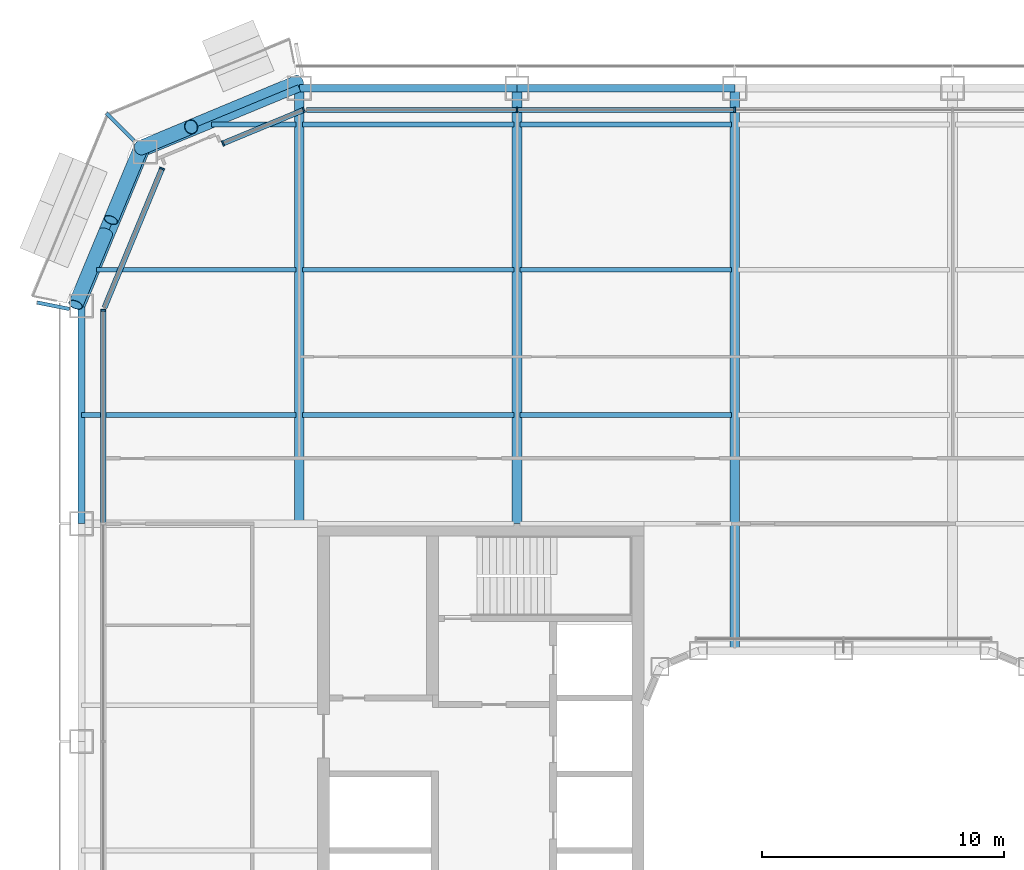
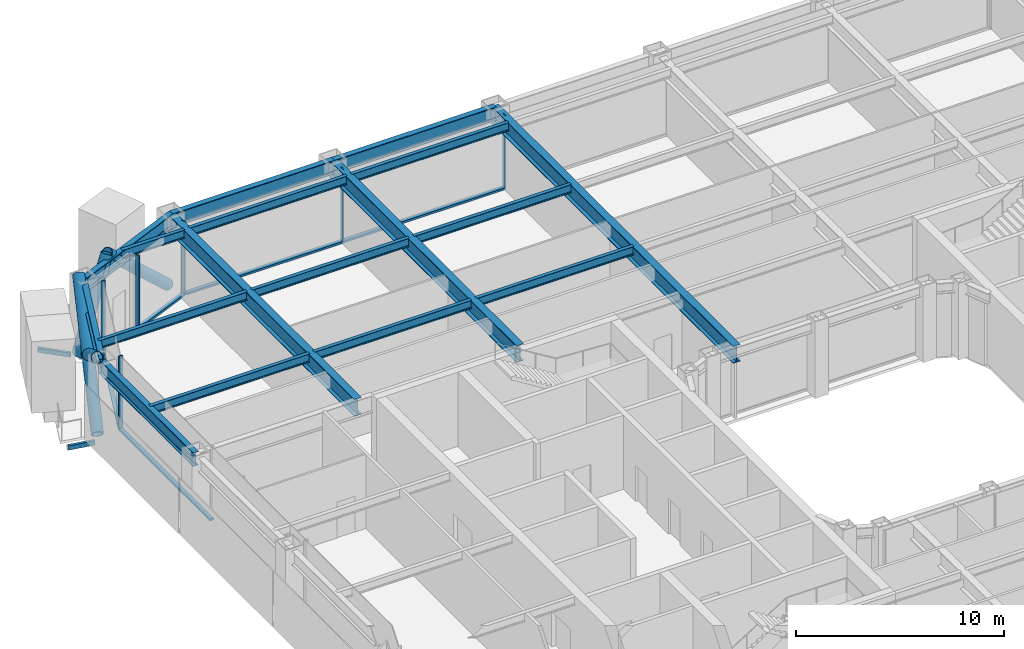
# One storey, part 7 of 29: 19 beams, 16 members, 4 elements without a shape of their own.
"""IFC4 building model written with IfcOpenShell, lengths in metres."""

from ifc_helpers import new_model, si_unit, direction, frame, origin, origin_2d, place, context, subcontext, project, spatial, rectangle, hollow_rectangle, hollow_circle, i_section, extrude, material, layer, layer_set, material_profile, profile_set, type_object, element, aggregate, save


model = new_model("IFC4")

# Units and contexts
model_context = context("Model", 3, precision=1e-05, world=origin(), true_north=direction((0.0, 1.0)))
body_context = subcontext(model_context, "Body", "Model", "MODEL_VIEW")
ifc_project = project(units=[si_unit("LENGTHUNIT", "METRE"), si_unit("AREAUNIT", "SQUARE_METRE"), si_unit("VOLUMEUNIT", "CUBIC_METRE"), si_unit("PLANEANGLEUNIT", "RADIAN"), si_unit("MASSUNIT", "GRAM", prefix="KILO")], contexts=[model_context])

# Site, building, storey
site_placement = place(None, origin())
site = spatial("IfcSite", under=ifc_project, at=site_placement, CompositionType="ELEMENT")
building_placement = place(site_placement, origin())
building = spatial("IfcBuilding", under=site, at=building_placement, Name="Siwar Civic Tower", CompositionType="ELEMENT")
storey_placement = place(building_placement, frame((0.0, 0.0, 67.199951171875)))
storey = spatial("IfcBuildingStorey", under=building, at=storey_placement, Name="L14", CompositionType="ELEMENT", Elevation=67.199951171875)

# Beams
ifc_material_1 = material(Name="Steel S355", Category="steel")
ifc_material_profile_1 = material_profile(ifc_material_1, hollow_rectangle(XDim=0.14990234375, YDim=0.25, WallThickness=0.010009765625, at=origin_2d()), Name="RHS250x150x10")
ifc_profile_set_1 = profile_set([ifc_material_profile_1], Name="Steel S355")
beam_type_1 = type_object("IfcBeamType", Name="ENV-BALCONY ARM", PredefinedType="BEAM", material=ifc_profile_set_1)
beam_1_placement = place(storey_placement, frame((-29.32861328125, 29.32861328125, -0.27490234375), z_axis=(-0.707106781187, 0.707106781187, 0.0), x_axis=(-0.707106781187, -0.707106781187, 0.0)))
element("IfcBeam", 1, at=beam_1_placement, inside=storey, type_object=beam_type_1, Name="Balcony cantilever beam NW 2", PredefinedType="BEAM", context=body_context, shape_type="SweptSolid", body=[
    extrude(hollow_rectangle(XDim=0.14990234375, YDim=0.25, WallThickness=0.010009765625, at=origin_2d()), origin(), (0.0, 0.0, 1.0), 1.615966796875),
])
beam_2_placement = place(storey_placement, frame((-32.0, 22.375244140625, -0.27490234375), z_axis=(-0.980807679798, 0.194977678848, 0.0), x_axis=(-0.194977678848, -0.980807679798, 0.0)))
element("IfcBeam", 2, at=beam_2_placement, inside=storey, type_object=beam_type_1, Name="Balcony cantilever beam NW 3", PredefinedType="BEAM", context=body_context, shape_type="SweptSolid", body=[
    extrude(hollow_rectangle(XDim=0.14990234375, YDim=0.25, WallThickness=0.010009765625, at=origin_2d()), origin(), (0.0, 0.0, 1.0), 1.361083984375),
])

# Curtain wall, members
ifc_material_2 = material(Name="Aluminium and glass", Category="aluminium")
ifc_layer_1 = layer(ifc_material_2, 0.219970703125)
ifc_layer_set_1 = layer_set([ifc_layer_1], Name="Aluminium and glass")
curtain_wall_type_1 = type_object("IfcCurtainWallType", Name="ENV-CW-A", PredefinedType="NOTDEFINED", material=ifc_layer_set_1)
curtain_wall_1_placement = place(storey_placement, origin())
curtain_wall_1 = element("IfcCurtainWall", 3, at=curtain_wall_1_placement, inside=storey, type_object=curtain_wall_type_1, Name="Curtain wall A N", PredefinedType="NOTDEFINED")
ifc_material_3 = material(Name="Aluminium 6063-T6", Category="aluminium")
ifc_material_profile_2 = material_profile(ifc_material_3, rectangle(XDim=0.219970703125, YDim=0.070068359375, at=origin_2d()), Name="AL 220x70")
ifc_profile_set_2 = profile_set([ifc_material_profile_2], Name="Aluminium 6063-T6")
member_type_1 = type_object("IfcMemberType", Name="ENV-MULLION-A", PredefinedType="MULLION", material=ifc_profile_set_2)
member_1_placement = place(storey_placement, frame((-4.5, 30.60009765625, 0.0), z_axis=(0.0, 0.0, 1.0), x_axis=(0.0, -1.0, 0.0)))
member_1 = element("IfcMember", 4, at=member_1_placement, type_object=member_type_1, Name="Mullion A N 4", PredefinedType="MULLION", context=body_context, shape_type="SweptSolid", body=[
    extrude(rectangle(XDim=0.219970703125, YDim=0.070068359375, at=origin_2d()), origin(), (0.0, 0.0, 1.0), 4.35009765625),
])
member_2_placement = place(storey_placement, frame((-13.5, 30.60009765625, 0.0), z_axis=(0.0, 0.0, 1.0), x_axis=(0.0, -1.0, 0.0)))
member_2 = element("IfcMember", 5, at=member_2_placement, type_object=member_type_1, Name="Mullion A N 5", PredefinedType="MULLION", context=body_context, shape_type="SweptSolid", body=[
    extrude(rectangle(XDim=0.219970703125, YDim=0.070068359375, at=origin_2d()), origin(), (0.0, 0.0, 1.0), 4.35009765625),
])

ifc_material_4 = material(Name="Aluminium clad insulated panel", Category="aluminium")
ifc_layer_2 = layer(ifc_material_4, 0.219970703125)
ifc_layer_set_2 = layer_set([ifc_layer_2], Name="Aluminium clad insulated panel")
curtain_wall_type_2 = type_object("IfcCurtainWallType", Name="ENV-CW-AX", PredefinedType="NOTDEFINED", material=ifc_layer_set_2)
curtain_wall_2_placement = place(storey_placement, origin())
curtain_wall_2 = element("IfcCurtainWall", 6, at=curtain_wall_2_placement, inside=storey, type_object=curtain_wall_type_2, Name="Curtain wall A NW1", PredefinedType="NOTDEFINED")
member_3_placement = place(storey_placement, frame((-22.321044921875, 30.60009765625, 0.0), z_axis=(0.0, 0.0, 1.0), x_axis=(0.382683432365, -0.923879532511, 0.0)))
member_3 = element("IfcMember", 7, at=member_3_placement, type_object=member_type_1, Name="Mullion A NW1 1", PredefinedType="MULLION", context=body_context, shape_type="SweptSolid", body=[
    extrude(rectangle(XDim=0.219970703125, YDim=0.070068359375, at=origin_2d()), origin(), (0.0, 0.0, 1.0), 4.35009765625),
])
member_4_placement = place(storey_placement, frame((-25.653564453125, 29.219482421875, 0.0), z_axis=(0.0, 0.0, 1.0), x_axis=(0.382683432365, -0.923879532511, 0.0)))
member_4 = element("IfcMember", 8, at=member_4_placement, type_object=member_type_1, Name="Mullion A NW1 2", PredefinedType="MULLION", context=body_context, shape_type="SweptSolid", body=[
    extrude(rectangle(XDim=0.219970703125, YDim=0.070068359375, at=origin_2d()), origin(), (0.0, 0.0, 1.0), 4.35009765625),
])

# Curtain wall, member
curtain_wall_3_placement = place(storey_placement, origin())
curtain_wall_3 = element("IfcCurtainWall", 9, at=curtain_wall_3_placement, inside=storey, type_object=curtain_wall_type_2, Name="Curtain wall A NW2", PredefinedType="NOTDEFINED")
member_5_placement = place(storey_placement, frame((-28.175048828125, 28.175048828125, 0.0), z_axis=(0.0, 0.0, 1.0), x_axis=(0.923879532511, -0.382683432365, 0.0)))
member_5 = element("IfcMember", 10, at=member_5_placement, type_object=member_type_1, Name="Mullion A NW2 1", PredefinedType="MULLION", context=body_context, shape_type="SweptSolid", body=[
    extrude(rectangle(XDim=0.219970703125, YDim=0.070068359375, at=origin_2d()), origin(), (0.0, 0.0, 1.0), 4.35009765625),
])

curtain_wall_4_placement = place(storey_placement, origin())
curtain_wall_4 = element("IfcCurtainWall", 11, at=curtain_wall_4_placement, inside=storey, type_object=curtain_wall_type_1, Name="Curtain wall A W", PredefinedType="NOTDEFINED")
member_6_placement = place(storey_placement, frame((-30.60009765625, 22.321044921875, 0.0), z_axis=(0.0, 0.0, 1.0), x_axis=(1.0, 0.0, 0.0)))
member_6 = element("IfcMember", 12, at=member_6_placement, type_object=member_type_1, Name="Mullion A W 1", PredefinedType="MULLION", context=body_context, shape_type="SweptSolid", body=[
    extrude(rectangle(XDim=0.219970703125, YDim=0.070068359375, at=origin_2d()), origin(), (0.0, 0.0, 1.0), 4.35009765625),
])

# Member
ifc_material_5 = material(Name="Aluminium 6063-T6", Category="aluminium")
ifc_material_profile_3 = material_profile(ifc_material_5, rectangle(XDim=0.219970703125, YDim=0.1201171875, at=origin_2d()), Name="AL 220x120")
ifc_profile_set_3 = profile_set([ifc_material_profile_3], Name="Aluminium 6063-T6")
member_type_2 = type_object("IfcMemberType", Name="ENV-TRANSOM-A", PredefinedType="USERDEFINED", material=ifc_profile_set_3)
member_7_placement = place(storey_placement, frame((-4.534912109375, 30.60009765625, 0.06005859375), z_axis=(-1.0, 0.0, 0.0), x_axis=(0.0, -1.0, 0.0)))
member_7 = element("IfcMember", 13, at=member_7_placement, type_object=member_type_2, Name="Transom A N 4", ObjectType="TRANSOM", PredefinedType="USERDEFINED", context=body_context, shape_type="SweptSolid", body=[
    extrude(rectangle(XDim=0.219970703125, YDim=0.1201171875, at=origin_2d()), origin(), (0.0, 0.0, 1.0), 8.93017578125),
])

member_8_placement = place(storey_placement, frame((-13.534912109375, 30.60009765625, 0.06005859375), z_axis=(-1.0, 0.0, 0.0), x_axis=(0.0, -1.0, 0.0)))
member_8 = element("IfcMember", 14, at=member_8_placement, type_object=member_type_2, Name="Transom A N 5", ObjectType="TRANSOM", PredefinedType="USERDEFINED", context=body_context, shape_type="SweptSolid", body=[
    extrude(rectangle(XDim=0.219970703125, YDim=0.1201171875, at=origin_2d()), origin(), (0.0, 0.0, 1.0), 8.66357421875),
])

aggregate(curtain_wall_1, [member_1, member_2, member_7, member_8])

member_9_placement = place(storey_placement, frame((-22.353271484375, 30.586669921875, 0.06005859375), z_axis=(-0.923871302809, -0.38270330002, 0.0), x_axis=(0.38270330002, -0.923871302809, 0.0)))
member_9 = element("IfcMember", 15, at=member_9_placement, type_object=member_type_2, Name="Transom A NW1 1", ObjectType="TRANSOM", PredefinedType="USERDEFINED", context=body_context, shape_type="SweptSolid", body=[
    extrude(rectangle(XDim=0.219970703125, YDim=0.1201171875, at=origin_2d()), origin(), (0.0, 0.0, 1.0), 3.537353515625),
])

aggregate(curtain_wall_2, [member_3, member_4, member_9])

member_10_placement = place(storey_placement, frame((-28.1884765625, 28.142822265625, 0.06005859375), z_axis=(-0.382698415042, -0.923873326341, 0.0), x_axis=(0.923873326341, -0.382698415042, 0.0)))
member_10 = element("IfcMember", 16, at=member_10_placement, type_object=member_type_2, Name="Transom A NW2 1", ObjectType="TRANSOM", PredefinedType="USERDEFINED", context=body_context, shape_type="SweptSolid", body=[
    extrude(rectangle(XDim=0.219970703125, YDim=0.1201171875, at=origin_2d()), origin(), (0.0, 0.0, 1.0), 6.17919921875),
])

aggregate(curtain_wall_3, [member_5, member_10])

member_11_placement = place(storey_placement, frame((-30.60009765625, 22.285888671875, 0.06005859375), z_axis=(0.0, -1.0, 0.0), x_axis=(1.0, 0.0, 0.0)))
member_11 = element("IfcMember", 17, at=member_11_placement, type_object=member_type_2, Name="Transom A W 1", ObjectType="TRANSOM", PredefinedType="USERDEFINED", context=body_context, shape_type="SweptSolid", body=[
    extrude(rectangle(XDim=0.219970703125, YDim=0.1201171875, at=origin_2d()), origin(), (0.0, 0.0, 1.0), 8.7509765625),
])

aggregate(curtain_wall_4, [member_6, member_11])

# Members
ifc_material_6 = material(Name="Steel S355", Category="steel")
ifc_material_profile_4 = material_profile(ifc_material_6, hollow_circle(Radius=0.304931640625, WallThickness=0.030029296875, at=origin_2d()), Name="CHS610x30")
ifc_profile_set_4 = profile_set([ifc_material_profile_4], Name="Steel S355")
member_type_3 = type_object("IfcMemberType", Name="STR-BR-CHS610x30", PredefinedType="BRACE", material=ifc_profile_set_4)
member_12_placement = place(storey_placement, frame((-31.7451171875, 22.548828125, 0.0), z_axis=(0.323905527954, 0.777554562952, 0.538975055633), x_axis=(-0.923108759191, 0.384538969033, 0.0)))
element("IfcMember", 18, at=member_12_placement, inside=storey, type_object=member_type_3, Name="L14/brc/ANW1-13-0-1", PredefinedType="BRACE", context=body_context, shape_type="SweptSolid", body=[
    extrude(hollow_circle(Radius=0.304931640625, WallThickness=0.030029296875, at=origin_2d()), origin(), (0.0, 0.0, 1.0), 8.34912109375),
])
member_13_placement = place(storey_placement, frame((-29.040771484375, 29.040771484375, 0.0), z_axis=(-0.323922979564, -0.777542179573, 0.53898243227), x_axis=(0.923099230484, -0.384561842466, 0.0)))
element("IfcMember", 19, at=member_13_placement, inside=storey, type_object=member_type_3, Name="L14/brc/ANW1-13-0-2", PredefinedType="BRACE", context=body_context, shape_type="SweptSolid", body=[
    extrude(hollow_circle(Radius=0.304931640625, WallThickness=0.030029296875, at=origin_2d()), origin(), (0.0, 0.0, 1.0), 3.84375),
])
member_14_placement = place(storey_placement, frame((-30.500244140625, 25.537353515625, 2.428466796875), z_axis=(-0.3238932121, -0.777559680196, 0.53897507446), x_axis=(0.923114847559, -0.384524353215, 0.0)))
element("IfcMember", 20, at=member_14_placement, inside=storey, type_object=member_type_3, Name="L14/brc/ANW1-13-0-3", PredefinedType="BRACE", context=body_context, shape_type="SweptSolid", body=[
    extrude(hollow_circle(Radius=0.304931640625, WallThickness=0.030029296875, at=origin_2d()), origin(), (0.0, 0.0, 1.0), 3.843505859375),
])
member_15_placement = place(storey_placement, frame((-22.548828125, 31.7451171875, 0.0), z_axis=(-0.672864582402, -0.280310719993, 0.684601456328), x_axis=(0.384557494138, -0.923101041979, 0.0)))
element("IfcMember", 21, at=member_15_placement, inside=storey, type_object=member_type_3, Name="L14/brc/ANW1-13-0-0", PredefinedType="BRACE", context=body_context, shape_type="SweptSolid", body=[
    extrude(hollow_circle(Radius=0.304931640625, WallThickness=0.030029296875, at=origin_2d()), origin(), (0.0, 0.0, 1.0), 6.5732421875),
])
member_16_placement = place(storey_placement, frame((-29.040771484375, 29.040771484375, 0.0), z_axis=(0.411570178484, 0.171426870802, 0.895110504993), x_axis=(-0.384499368559, 0.923125254544, 0.0)))
element("IfcMember", 22, at=member_16_placement, inside=storey, type_object=member_type_3, Name="L14/brc/ANW1-13-0-6", PredefinedType="BRACE", context=body_context, shape_type="SweptSolid", body=[
    extrude(hollow_circle(Radius=0.304931640625, WallThickness=0.030029296875, at=origin_2d()), origin(), (0.0, 0.0, 1.0), 5.02734375),
])

# Beams
ifc_material_7 = material(Name="Steel S355", Category="steel")
ifc_material_profile_5 = material_profile(ifc_material_7, i_section(OverallWidth=0.199951171875, OverallDepth=0.5, WebThickness=0.01025390625, FlangeThickness=0.01611328125, FilletRadius=0.02099609375, at=origin_2d()), Name="IPE500")
ifc_profile_set_5 = profile_set([ifc_material_profile_5], Name="Steel S355")
beam_type_2 = type_object("IfcBeamType", Name="STR-FB-IPE500", PredefinedType="JOIST", material=ifc_profile_set_5)
beam_3_placement = place(storey_placement, frame((-31.5, 18.0, 4.10009765625), z_axis=(1.0, 0.0, 0.0), x_axis=(0.0, 1.0, 0.0)))
element("IfcBeam", 23, at=beam_3_placement, inside=storey, type_object=beam_type_2, Name="L14/bm/F046", PredefinedType="JOIST", context=body_context, shape_type="SweptSolid", body=[
    extrude(i_section(OverallWidth=0.199951171875, OverallDepth=0.5, WebThickness=0.01025390625, FlangeThickness=0.01611328125, FilletRadius=0.02099609375, at=origin_2d()), origin(), (0.0, 0.0, 1.0), 8.8701171875),
])
for number, where, z_axis, x_axis, name in (
    (24, (-22.3701171875, 18.0, 4.10009765625), (1.0, 0.0, 0.0), (0.0, 1.0, 0.0), "L14/bm/F047"),
    (25, (-13.3701171875, 18.0, 4.10009765625), (1.0, 0.0, 0.0), (0.0, 1.0, 0.0), "L14/bm/F048"),
):
    element("IfcBeam", number, at=place(storey_placement, frame(where, z_axis=z_axis, x_axis=x_axis)), inside=storey, type_object=beam_type_2, Name=name, PredefinedType="JOIST", context=body_context, shape_type="SweptSolid", body=[
        extrude(i_section(OverallWidth=0.199951171875, OverallDepth=0.5, WebThickness=0.01025390625, FlangeThickness=0.01611328125, FilletRadius=0.02099609375, at=origin_2d()), origin(), (0.0, 0.0, 1.0), 8.740234375),
    ])
beam_4_placement = place(storey_placement, frame((-30.878662109375, 24.0, 4.10009765625), z_axis=(1.0, 0.0, 0.0), x_axis=(0.0, 1.0, 0.0)))
element("IfcBeam", 26, at=beam_4_placement, inside=storey, type_object=beam_type_2, Name="L14/bm/F053", PredefinedType="JOIST", context=body_context, shape_type="SweptSolid", body=[
    extrude(i_section(OverallWidth=0.199951171875, OverallDepth=0.5, WebThickness=0.01025390625, FlangeThickness=0.01611328125, FilletRadius=0.02099609375, at=origin_2d()), origin(), (0.0, 0.0, 1.0), 8.248779296875),
])
for number, where, z_axis, x_axis, name in (
    (27, (-22.3701171875, 24.0, 4.10009765625), (1.0, 0.0, 0.0), (0.0, 1.0, 0.0), "L14/bm/F054"),
    (28, (-13.3701171875, 24.0, 4.10009765625), (1.0, 0.0, 0.0), (0.0, 1.0, 0.0), "L14/bm/F055"),
):
    element("IfcBeam", number, at=place(storey_placement, frame(where, z_axis=z_axis, x_axis=x_axis)), inside=storey, type_object=beam_type_2, Name=name, PredefinedType="JOIST", context=body_context, shape_type="SweptSolid", body=[
        extrude(i_section(OverallWidth=0.199951171875, OverallDepth=0.5, WebThickness=0.01025390625, FlangeThickness=0.01611328125, FilletRadius=0.02099609375, at=origin_2d()), origin(), (0.0, 0.0, 1.0), 8.740234375),
    ])
beam_5_placement = place(storey_placement, frame((-26.121337890625, 30.0, 4.10009765625), z_axis=(1.0, 0.0, 0.0), x_axis=(0.0, 1.0, 0.0)))
element("IfcBeam", 29, at=beam_5_placement, inside=storey, type_object=beam_type_2, Name="L14/bm/F060", PredefinedType="JOIST", context=body_context, shape_type="SweptSolid", body=[
    extrude(i_section(OverallWidth=0.199951171875, OverallDepth=0.5, WebThickness=0.01025390625, FlangeThickness=0.01611328125, FilletRadius=0.02099609375, at=origin_2d()), origin(), (0.0, 0.0, 1.0), 3.491455078125),
])
for number, where, z_axis, x_axis, name in (
    (30, (-22.3701171875, 30.0, 4.10009765625), (1.0, 0.0, 0.0), (0.0, 1.0, 0.0), "L14/bm/F061"),
    (31, (-13.3701171875, 30.0, 4.10009765625), (1.0, 0.0, 0.0), (0.0, 1.0, 0.0), "L14/bm/F062"),
):
    element("IfcBeam", number, at=place(storey_placement, frame(where, z_axis=z_axis, x_axis=x_axis)), inside=storey, type_object=beam_type_2, Name=name, PredefinedType="JOIST", context=body_context, shape_type="SweptSolid", body=[
        extrude(i_section(OverallWidth=0.199951171875, OverallDepth=0.5, WebThickness=0.01025390625, FlangeThickness=0.01611328125, FilletRadius=0.02099609375, at=origin_2d()), origin(), (0.0, 0.0, 1.0), 8.740234375),
    ])
ifc_material_8 = material(Name="Steel S355", Category="steel")
ifc_material_profile_6 = material_profile(ifc_material_8, i_section(OverallWidth=0.39990234375, OverallDepth=1.0, WebThickness=0.01611328125, FlangeThickness=0.0400390625, at=origin_2d()), Name="PG1000x400x16x40")
ifc_profile_set_6 = profile_set([ifc_material_profile_6], Name="Steel S355")
beam_type_3 = type_object("IfcBeamType", Name="STR-PG-PG1000x400x16x40", PredefinedType="BEAM", material=ifc_profile_set_6)
for number, where, z_axis, x_axis, name in (
    (32, (-22.5, 13.5, 3.85009765625), (0.0, 1.0, 0.0), (-1.0, 0.0, 0.0), "L14/bm/G02"),
    (33, (-13.5, 13.5, 3.85009765625), (0.0, 1.0, 0.0), (-1.0, 0.0, 0.0), "L14/bm/G04"),
):
    element("IfcBeam", number, at=place(storey_placement, frame(where, z_axis=z_axis, x_axis=x_axis)), inside=storey, type_object=beam_type_3, Name=name, PredefinedType="BEAM", context=body_context, shape_type="SweptSolid", body=[
        extrude(i_section(OverallWidth=0.39990234375, OverallDepth=1.0, WebThickness=0.01611328125, FlangeThickness=0.0400390625, at=origin_2d()), origin(), (0.0, 0.0, 1.0), 18.0),
    ])
beam_6_placement = place(storey_placement, frame((-4.5, 8.25, 3.85009765625), z_axis=(0.0, 1.0, 0.0), x_axis=(-1.0, 0.0, 0.0)))
element("IfcBeam", 34, at=beam_6_placement, inside=storey, type_object=beam_type_3, Name="L14/bm/G06", PredefinedType="BEAM", context=body_context, shape_type="SweptSolid", body=[
    extrude(i_section(OverallWidth=0.39990234375, OverallDepth=1.0, WebThickness=0.01611328125, FlangeThickness=0.0400390625, at=origin_2d()), origin(), (0.0, 0.0, 1.0), 23.25),
])
ifc_material_9 = material(Name="Steel S355", Category="steel")
ifc_material_profile_7 = material_profile(ifc_material_9, i_section(OverallWidth=0.302978515625, OverallDepth=0.81396484375, WebThickness=0.02099609375, FlangeThickness=0.0400390625, FilletRadius=0.030029296875, at=origin_2d()), Name="HEM800")
ifc_profile_set_7 = profile_set([ifc_material_profile_7], Name="Steel S355")
beam_type_4 = type_object("IfcBeamType", Name="STR-SB-HEM800", PredefinedType="BEAM", material=ifc_profile_set_7)
for number, where, z_axis, x_axis, name in (
    (35, (-4.5, 31.5, 3.943115234375), (-1.0, 0.0, 0.0), (0.0, -1.0, 0.0), "L14/bm/SN-3"),
    (36, (-13.5, 31.5, 3.943115234375), (-1.0, 0.0, 0.0), (0.0, -1.0, 0.0), "L14/bm/SN-4"),
):
    element("IfcBeam", number, at=place(storey_placement, frame(where, z_axis=z_axis, x_axis=x_axis)), inside=storey, type_object=beam_type_4, Name=name, PredefinedType="BEAM", context=body_context, shape_type="SweptSolid", body=[
        extrude(i_section(OverallWidth=0.302978515625, OverallDepth=0.81396484375, WebThickness=0.02099609375, FlangeThickness=0.0400390625, FilletRadius=0.030029296875, at=origin_2d()), origin(), (0.0, 0.0, 1.0), 9.0),
    ])
for number, where, z_axis, x_axis, name in (
    (37, (-22.5, 31.5, 3.943115234375), (-0.923883353507, -0.382674207535, 0.0), (0.382674207535, -0.923883353507, 0.0), "L14/bm/SNW1-0"),
    (38, (-28.864013671875, 28.864013671875, 3.943115234375), (-0.382674207535, -0.923883353507, 0.0), (0.923883353507, -0.382674207535, 0.0), "L14/bm/SNW2-0"),
):
    element("IfcBeam", number, at=place(storey_placement, frame(where, z_axis=z_axis, x_axis=x_axis)), inside=storey, type_object=beam_type_4, Name=name, PredefinedType="BEAM", context=body_context, shape_type="SweptSolid", body=[
        extrude(i_section(OverallWidth=0.302978515625, OverallDepth=0.81396484375, WebThickness=0.02099609375, FlangeThickness=0.0400390625, FilletRadius=0.030029296875, at=origin_2d()), origin(), (0.0, 0.0, 1.0), 6.888427734375),
    ])
beam_7_placement = place(storey_placement, frame((-31.5, 22.5, 3.943115234375), z_axis=(0.0, -1.0, 0.0), x_axis=(1.0, 0.0, 0.0)))
element("IfcBeam", 39, at=beam_7_placement, inside=storey, type_object=beam_type_4, Name="L14/bm/SW-0", PredefinedType="BEAM", context=body_context, shape_type="SweptSolid", body=[
    extrude(i_section(OverallWidth=0.302978515625, OverallDepth=0.81396484375, WebThickness=0.02099609375, FlangeThickness=0.0400390625, FilletRadius=0.030029296875, at=origin_2d()), origin(), (0.0, 0.0, 1.0), 9.0),
])

save(model, "model.ifc")
